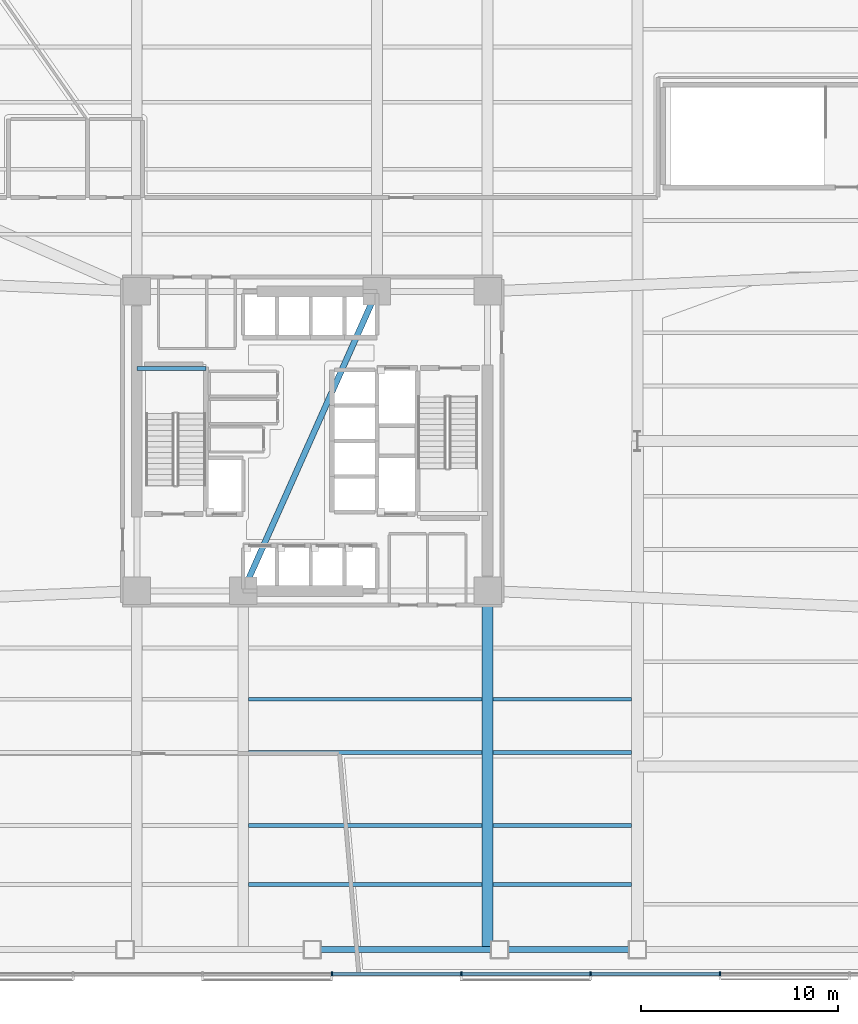
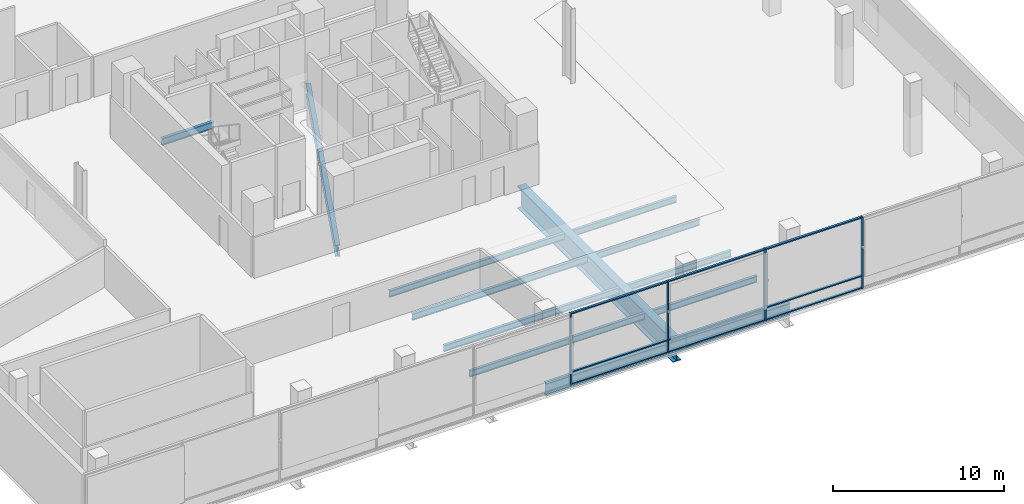
# One storey, part 3 of 19: 13 beams, 13 members, 1 element without a shape of its own.
"""IFC4 building model written with IfcOpenShell, lengths in metres."""

import ifcopenshell
import ifcopenshell.guid

model = None  # the IFC model being written
_history = None  # IfcOwnerHistory: only IFC2X3 demands one
_inside = {}  # id of a spatial element -> (the spatial element, [elements in it])
_under = {}  # id of a project, library or spatial element -> (it, [spatial elements below it])
_declared = {}  # id of a project -> (the project, [libraries it declares])
_typed = {}  # id of a type object -> (the type object, [elements of that type])
_made_of = {}  # id of a material, layer set ... -> (it, [elements and type objects made of it])


def new_model(schema):
    """Start an empty IFC model of exactly this schema.

    Asked for "IFC4X3", IfcOpenShell would pick the latest addendum, in which some entities
    have other attributes; the version numbers below select the first issue.
    IFC2X3 requires an IfcOwnerHistory on every rooted entity: one is made here for all.
    """
    global model, _history
    if schema == "IFC4X3":
        model = ifcopenshell.file(schema_version=(4, 3, 0, 0))
    else:
        model = ifcopenshell.file(schema=schema)
    _inside.clear()
    _under.clear()
    _declared.clear()
    _typed.clear()
    _made_of.clear()
    _history = None
    if model.schema == "IFC2X3":
        org = make("IfcOrganization", Name="unknown")
        user = make(
            "IfcPersonAndOrganization",
            ThePerson=make("IfcPerson", FamilyName="unknown"),
            TheOrganization=org,
        )
        app = make(
            "IfcApplication",
            ApplicationDeveloper=org,
            Version="unknown",
            ApplicationFullName="unknown",
            ApplicationIdentifier="unknown",
        )
        _history = make(
            "IfcOwnerHistory",
            OwningUser=user,
            OwningApplication=app,
            ChangeAction="ADDED",
            CreationDate=0,
        )
    return model


def make(cls, **values):
    """One entity of the class cls with the attributes given. An attribute that is None is left unset."""
    return model.create_entity(
        cls, **{name: value for name, value in values.items() if value is not None}
    )


def rooted(cls, **values):
    """An entity with a GlobalId (a new one), such as an element, a storey or a relation."""
    return make(cls, GlobalId=ifcopenshell.guid.new(), OwnerHistory=_history, **values)


def si_unit(unit_type, name, prefix=None):
    """IfcSIUnit, for example si_unit("LENGTHUNIT", "METRE", prefix="MILLI")."""
    return make("IfcSIUnit", UnitType=unit_type, Prefix=prefix, Name=name)


def assignment(units):
    """IfcUnitAssignment: the units of a project."""
    return None if units is None else make("IfcUnitAssignment", Units=units)


def point(xyz):
    """IfcCartesianPoint."""
    return None if xyz is None else make("IfcCartesianPoint", Coordinates=xyz)


def direction(xyz):
    """IfcDirection."""
    return None if xyz is None else make("IfcDirection", DirectionRatios=xyz)


def frame(location, z_axis=None, x_axis=None):
    """IfcAxis2Placement3D, a coordinate frame: its origin and axes. An axis left out is left unset."""
    return make(
        "IfcAxis2Placement3D",
        Location=point(location),
        Axis=direction(z_axis),
        RefDirection=direction(x_axis),
    )


def frame_2d(location, x_axis=None):
    """IfcAxis2Placement2D, a coordinate frame in the plane: its origin and x axis."""
    return make(
        "IfcAxis2Placement2D", Location=point(location), RefDirection=direction(x_axis)
    )


def origin():
    """The frame at (0, 0, 0) with its axes left unset."""
    return frame((0.0, 0.0, 0.0))


def origin_2d():
    """The frame at (0, 0) in the plane with its x axis left unset."""
    return frame_2d((0.0, 0.0))


def place(relative_to, where):
    """IfcLocalPlacement: puts the frame where relative to a parent placement (None: the world)."""
    return make(
        "IfcLocalPlacement", PlacementRelTo=relative_to, RelativePlacement=where
    )


def context(
    kind, dimensions, precision=None, world=None, true_north=None, identifier=None
):
    """IfcGeometricRepresentationContext, for example the 3D "Model" context."""
    return make(
        "IfcGeometricRepresentationContext",
        ContextIdentifier=identifier,
        ContextType=kind,
        CoordinateSpaceDimension=dimensions,
        Precision=precision,
        WorldCoordinateSystem=world,
        TrueNorth=true_north,
    )


def subcontext(parent, identifier, kind, view, scale=None):
    """IfcGeometricRepresentationSubContext, for example "Body" below "Model"."""
    return make(
        "IfcGeometricRepresentationSubContext",
        ContextIdentifier=identifier,
        ContextType=kind,
        ParentContext=parent,
        TargetScale=scale,
        TargetView=view,
    )


def project(units=None, contexts=None):
    """IfcProject with its units and contexts."""
    return rooted(
        "IfcProject",
        Name="project",
        RepresentationContexts=contexts,
        UnitsInContext=assignment(units),
    )


def spatial(cls, under=None, at=None, **own):
    """A site, building, storey or space (cls), placed at a placement, below another one or the project."""
    s = rooted(cls, ObjectPlacement=at, **own)
    if under is not None:
        _under.setdefault(under.id(), (under, []))[1].append(s)
    return s


def profile(cls, at=None, kind="AREA", **sizes):
    """A parametric profile (cls). Its sizes go by their IFC names, for example OverallWidth=200.0."""
    return make(cls, ProfileType=kind, Position=at, **sizes)


def rectangle(**sizes):
    """IfcRectangleProfileDef."""
    return profile("IfcRectangleProfileDef", **sizes)


def i_section(**sizes):
    """IfcIShapeProfileDef."""
    return profile("IfcIShapeProfileDef", **sizes)


def extrude(swept, where, along, depth):
    """IfcExtrudedAreaSolid: the profile swept, set in the frame where, extruded along a direction by depth."""
    return make(
        "IfcExtrudedAreaSolid",
        SweptArea=swept,
        Position=where,
        ExtrudedDirection=direction(along),
        Depth=depth,
    )


def shape(context_of_items, identifier, shape_type, items):
    """IfcShapeRepresentation: the items that make up one representation, for example the "Body"."""
    return make(
        "IfcShapeRepresentation",
        ContextOfItems=context_of_items,
        RepresentationIdentifier=identifier,
        RepresentationType=shape_type,
        Items=items,
    )


def material(Name=None, Category=None):
    """IfcMaterial."""
    return make("IfcMaterial", Name=Name, Category=Category)


def layer(
    of_material, thickness, ventilated=None, Name=None, Category=None, Priority=None
):
    """IfcMaterialLayer: one layer of a wall or slab, of a material (None: an air gap)."""
    return make(
        "IfcMaterialLayer",
        Material=of_material,
        LayerThickness=thickness,
        IsVentilated=ventilated,
        Name=Name,
        Category=Category,
        Priority=Priority,
    )


def layer_set(layers, Name=None):
    """IfcMaterialLayerSet."""
    return make("IfcMaterialLayerSet", MaterialLayers=layers, LayerSetName=Name)


def material_profile(
    of_material, cross_section, Name=None, Category=None, Priority=None
):
    """IfcMaterialProfile: a cross section and its material."""
    return make(
        "IfcMaterialProfile",
        Name=Name,
        Material=of_material,
        Profile=cross_section,
        Priority=Priority,
        Category=Category,
    )


def profile_set(profiles, Name=None, composite=None):
    """IfcMaterialProfileSet."""
    return make(
        "IfcMaterialProfileSet",
        Name=Name,
        MaterialProfiles=profiles,
        CompositeProfile=composite,
    )


def made_of(thing, what):
    """Note that an element or type object is made of a material, layer set ...; save() writes the relation."""
    if what is not None:
        _made_of.setdefault(what.id(), (what, []))[1].append(thing)
    return thing


def type_object(cls, material=None, **own):
    """A type object (cls), such as IfcWallType, which elements share."""
    return made_of(rooted(cls, **own), material)


def element(
    cls,
    number,
    at=None,
    inside=None,
    cuts=None,
    type_object=None,
    material=None,
    context=None,
    identifier="Body",
    shape_type=None,
    held_by="IfcProductDefinitionShape",
    body=None,
    shapes=None,
    **own,
):
    """One element of the class cls, such as IfcWall. Its Tag is "e" and its number.

    at: its placement. inside: the storey or other place that contains it. cuts: it is an
    opening in that element (IfcRelVoidsElement). A single representation is given by context,
    identifier, shape_type and body (its items); several are given by shapes. held_by: the class
    of the entity that holds the representations. save() writes the other relations.
    """
    e = rooted(cls, Tag="e%d" % number, ObjectPlacement=at, **own)
    if body is not None:
        shapes = [shape(context, identifier, shape_type, body)]
    if shapes is not None:
        e.Representation = make(held_by, Representations=shapes)
    if inside is not None:
        _inside.setdefault(inside.id(), (inside, []))[1].append(e)
    if cuts is not None:
        rooted(
            "IfcRelVoidsElement", RelatingBuildingElement=cuts, RelatedOpeningElement=e
        )
    if type_object is not None:
        _typed.setdefault(type_object.id(), (type_object, []))[1].append(e)
    return made_of(e, material)


def aggregate(whole, parts):
    """IfcRelAggregates: a whole, such as a stair, and the parts it consists of."""
    return rooted("IfcRelAggregates", RelatingObject=whole, RelatedObjects=parts)


def save(model, path):
    """Write the relations noted so far, then the file.

    IfcRelAggregates (storeys below a building ...), IfcRelContainedInSpatialStructure (elements
    in a storey), IfcRelDefinesByType, IfcRelAssociatesMaterial and IfcRelDeclares: one each for
    every whole, place, type object, material and project.
    """
    for whole, parts in _under.values():
        aggregate(whole, parts)
    for where, things in _inside.values():
        rooted(
            "IfcRelContainedInSpatialStructure",
            RelatedElements=things,
            RelatingStructure=where,
        )
    for kind, things in _typed.values():
        rooted("IfcRelDefinesByType", RelatedObjects=things, RelatingType=kind)
    for what, things in _made_of.values():
        rooted("IfcRelAssociatesMaterial", RelatedObjects=things, RelatingMaterial=what)
    for by, libraries in _declared.values():
        rooted("IfcRelDeclares", RelatingContext=by, RelatedDefinitions=libraries)
    model.write(path)


model = new_model("IFC4")

# Units and contexts
model_context = context("Model", 3, precision=1e-05, world=origin(), true_north=direction((0.0, 1.0)))
body_context = subcontext(model_context, "Body", "Model", "MODEL_VIEW")
ifc_project = project(units=[si_unit("LENGTHUNIT", "METRE"), si_unit("AREAUNIT", "SQUARE_METRE"), si_unit("VOLUMEUNIT", "CUBIC_METRE"), si_unit("PLANEANGLEUNIT", "RADIAN"), si_unit("MASSUNIT", "GRAM", prefix="KILO")], contexts=[model_context])

# Site, building, storey
site_placement = place(None, origin())
site = spatial("IfcSite", under=ifc_project, at=site_placement, CompositionType="ELEMENT")
building_placement = place(site_placement, origin())
building = spatial("IfcBuilding", under=site, at=building_placement, Name="Tharavind Bronze Gate", CompositionType="ELEMENT")
storey_placement = place(building_placement, frame((0.0, 0.0, 26.5)))
storey = spatial("IfcBuildingStorey", under=building, at=storey_placement, Name="L05", CompositionType="ELEMENT", Elevation=26.5)

# Curtain wall, members
ifc_material_1 = material(Name="Anodised Bronze Aluminium", Category="aluminium")
ifc_layer = layer(ifc_material_1, 0.219970703125)
ifc_layer_set = layer_set([ifc_layer], Name="Anodised Bronze Aluminium")
curtain_wall_type = type_object("IfcCurtainWallType", Name="UNITISED CURTAIN WALL PODIUM", PredefinedType="USERDEFINED", material=ifc_layer_set)
curtain_wall_placement = place(storey_placement, origin())
curtain_wall = element("IfcCurtainWall", 1, at=curtain_wall_placement, inside=storey, type_object=curtain_wall_type, Name="L05 unitised curtain wall podium CW-L05-S1", ObjectType="UNITISED CURTAIN WALL", PredefinedType="USERDEFINED")
member_type_1 = type_object("IfcMemberType", Name="CURTAIN WALL MULLION 80X220", PredefinedType="MULLION", material=ifc_material_1)
member_1_placement = place(storey_placement, frame((1.0, -27.02001953125, 0.0), z_axis=(0.0, 0.0, 1.0), x_axis=(1.0, 0.0, 0.0)))
member_1 = element("IfcMember", 2, at=member_1_placement, type_object=member_type_1, Name="CW-L05-S1 mullion 6", PredefinedType="MULLION", context=body_context, shape_type="SweptSolid", body=[
    extrude(rectangle(XDim=0.080078125, YDim=0.219970703125, at=origin_2d()), origin(), (0.0, 0.0, 1.0), 5.10498046875),
])
member_2_placement = place(storey_placement, frame((7.56396484375, -27.02001953125, 0.0), z_axis=(0.0, 0.0, 1.0), x_axis=(1.0, 0.0, 0.0)))
member_2 = element("IfcMember", 3, at=member_2_placement, type_object=member_type_1, Name="CW-L05-S1 mullion 7", PredefinedType="MULLION", context=body_context, shape_type="SweptSolid", body=[
    extrude(rectangle(XDim=0.080078125, YDim=0.219970703125, at=origin_2d()), origin(), (0.0, 0.0, 1.0), 5.10498046875),
])
member_3_placement = place(storey_placement, frame((14.1279296875, -27.02001953125, 0.0), z_axis=(0.0, 0.0, 1.0), x_axis=(1.0, 0.0, 0.0)))
member_3 = element("IfcMember", 4, at=member_3_placement, type_object=member_type_1, Name="CW-L05-S1 mullion 8", PredefinedType="MULLION", context=body_context, shape_type="SweptSolid", body=[
    extrude(rectangle(XDim=0.080078125, YDim=0.219970703125, at=origin_2d()), origin(), (0.0, 0.0, 1.0), 5.10498046875),
])
member_4_placement = place(storey_placement, frame((20.69189453125, -27.02001953125, 0.0), z_axis=(0.0, 0.0, 1.0), x_axis=(1.0, 0.0, 0.0)))
member_4 = element("IfcMember", 5, at=member_4_placement, type_object=member_type_1, Name="CW-L05-S1 mullion 9", PredefinedType="MULLION", context=body_context, shape_type="SweptSolid", body=[
    extrude(rectangle(XDim=0.080078125, YDim=0.219970703125, at=origin_2d()), origin(), (0.0, 0.0, 1.0), 5.10498046875),
])
member_type_2 = type_object("IfcMemberType", Name="CURTAIN WALL TRANSOM 80X160", PredefinedType="USERDEFINED", material=ifc_material_1)
member_5_placement = place(storey_placement, frame((4.281982421875, -27.02001953125, 0.0), z_axis=(0.0, 0.0, 1.0), x_axis=(1.0, 0.0, 0.0)))
member_5 = element("IfcMember", 6, at=member_5_placement, type_object=member_type_2, Name="CW-L05-S1 transom TB6", ObjectType="TRANSOM", PredefinedType="USERDEFINED", context=body_context, shape_type="SweptSolid", body=[
    extrude(rectangle(XDim=6.49609375, YDim=0.159912109375, at=origin_2d()), origin(), (0.0, 0.0, 1.0), 0.080078125),
])
member_6_placement = place(storey_placement, frame((4.281982421875, -27.02001953125, 0.85986328125), z_axis=(0.0, 0.0, 1.0), x_axis=(1.0, 0.0, 0.0)))
member_6 = element("IfcMember", 7, at=member_6_placement, type_object=member_type_2, Name="CW-L05-S1 transom TS6", ObjectType="TRANSOM", PredefinedType="USERDEFINED", context=body_context, shape_type="SweptSolid", body=[
    extrude(rectangle(XDim=6.49609375, YDim=0.159912109375, at=origin_2d()), origin(), (0.0, 0.0, 1.0), 0.080078125),
])
member_7_placement = place(storey_placement, frame((4.281982421875, -27.02001953125, 5.02490234375), z_axis=(0.0, 0.0, 1.0), x_axis=(1.0, 0.0, 0.0)))
member_7 = element("IfcMember", 8, at=member_7_placement, type_object=member_type_2, Name="CW-L05-S1 transom TT6", ObjectType="TRANSOM", PredefinedType="USERDEFINED", context=body_context, shape_type="SweptSolid", body=[
    extrude(rectangle(XDim=6.49609375, YDim=0.159912109375, at=origin_2d()), origin(), (0.0, 0.0, 1.0), 0.080078125),
])
member_8_placement = place(storey_placement, frame((10.845947265625, -27.02001953125, 0.0), z_axis=(0.0, 0.0, 1.0), x_axis=(1.0, 0.0, 0.0)))
member_8 = element("IfcMember", 9, at=member_8_placement, type_object=member_type_2, Name="CW-L05-S1 transom TB7", ObjectType="TRANSOM", PredefinedType="USERDEFINED", context=body_context, shape_type="SweptSolid", body=[
    extrude(rectangle(XDim=6.49609375, YDim=0.159912109375, at=origin_2d()), origin(), (0.0, 0.0, 1.0), 0.080078125),
])
member_9_placement = place(storey_placement, frame((10.845947265625, -27.02001953125, 0.85986328125), z_axis=(0.0, 0.0, 1.0), x_axis=(1.0, 0.0, 0.0)))
member_9 = element("IfcMember", 10, at=member_9_placement, type_object=member_type_2, Name="CW-L05-S1 transom TS7", ObjectType="TRANSOM", PredefinedType="USERDEFINED", context=body_context, shape_type="SweptSolid", body=[
    extrude(rectangle(XDim=6.49609375, YDim=0.159912109375, at=origin_2d()), origin(), (0.0, 0.0, 1.0), 0.080078125),
])
member_10_placement = place(storey_placement, frame((10.845947265625, -27.02001953125, 5.02490234375), z_axis=(0.0, 0.0, 1.0), x_axis=(1.0, 0.0, 0.0)))
member_10 = element("IfcMember", 11, at=member_10_placement, type_object=member_type_2, Name="CW-L05-S1 transom TT7", ObjectType="TRANSOM", PredefinedType="USERDEFINED", context=body_context, shape_type="SweptSolid", body=[
    extrude(rectangle(XDim=6.49609375, YDim=0.159912109375, at=origin_2d()), origin(), (0.0, 0.0, 1.0), 0.080078125),
])
member_11_placement = place(storey_placement, frame((17.409912109375, -27.02001953125, 0.0), z_axis=(0.0, 0.0, 1.0), x_axis=(1.0, 0.0, 0.0)))
member_11 = element("IfcMember", 12, at=member_11_placement, type_object=member_type_2, Name="CW-L05-S1 transom TB8", ObjectType="TRANSOM", PredefinedType="USERDEFINED", context=body_context, shape_type="SweptSolid", body=[
    extrude(rectangle(XDim=6.49609375, YDim=0.159912109375, at=origin_2d()), origin(), (0.0, 0.0, 1.0), 0.080078125),
])
member_12_placement = place(storey_placement, frame((17.409912109375, -27.02001953125, 0.85986328125), z_axis=(0.0, 0.0, 1.0), x_axis=(1.0, 0.0, 0.0)))
member_12 = element("IfcMember", 13, at=member_12_placement, type_object=member_type_2, Name="CW-L05-S1 transom TS8", ObjectType="TRANSOM", PredefinedType="USERDEFINED", context=body_context, shape_type="SweptSolid", body=[
    extrude(rectangle(XDim=6.49609375, YDim=0.159912109375, at=origin_2d()), origin(), (0.0, 0.0, 1.0), 0.080078125),
])
member_13_placement = place(storey_placement, frame((17.409912109375, -27.02001953125, 5.02490234375), z_axis=(0.0, 0.0, 1.0), x_axis=(1.0, 0.0, 0.0)))
member_13 = element("IfcMember", 14, at=member_13_placement, type_object=member_type_2, Name="CW-L05-S1 transom TT8", ObjectType="TRANSOM", PredefinedType="USERDEFINED", context=body_context, shape_type="SweptSolid", body=[
    extrude(rectangle(XDim=6.49609375, YDim=0.159912109375, at=origin_2d()), origin(), (0.0, 0.0, 1.0), 0.080078125),
])
aggregate(curtain_wall, [member_1, member_2, member_3, member_4, member_5, member_6, member_7, member_8, member_9, member_10, member_11, member_12, member_13])

# Beams
ifc_material_2 = material(Name="Steel S355", Category="steel")
ifc_material_profile_1 = material_profile(ifc_material_2, i_section(OverallWidth=0.199951171875, OverallDepth=0.5, WebThickness=0.01025390625, FlangeThickness=0.01611328125, at=origin_2d()), Name="IPE500")
ifc_profile_set_1 = profile_set([ifc_material_profile_1], Name="Steel S355")
beam_type_1 = type_object("IfcBeamType", Name="PRIMARY GIRDER IPE500", PredefinedType="USERDEFINED", material=ifc_profile_set_1)
beam_1_placement = place(storey_placement, frame((-8.89990234375, 3.679931640625, 2.199951171875), z_axis=(1.0, 0.0, 0.0), x_axis=(0.0, 1.0, 0.0)))
element("IfcBeam", 15, at=beam_1_placement, inside=storey, type_object=beam_type_1, Name="L05 primary girder ipe500 BM-LD-ST1-L05-1", ObjectType="GIRDER", PredefinedType="USERDEFINED", context=body_context, shape_type="SweptSolid", body=[
    extrude(i_section(OverallWidth=0.199951171875, OverallDepth=0.5, WebThickness=0.01025390625, FlangeThickness=0.01611328125, at=origin_2d()), origin(), (0.0, 0.0, 1.0), 3.5),
])
ifc_material_profile_2 = material_profile(ifc_material_2, i_section(OverallWidth=0.300048828125, OverallDepth=0.800048828125, WebThickness=0.017578125, FlangeThickness=0.032958984375, at=origin_2d()), Name="HE800B")
ifc_profile_set_2 = profile_set([ifc_material_profile_2], Name="Steel S355")
beam_type_2 = type_object("IfcBeamType", Name="RING GIRDER HE800B", PredefinedType="USERDEFINED", material=ifc_profile_set_2)
beam_2_placement = place(storey_placement, frame((-3.5, -7.60009765625, -0.659912109375), z_axis=(0.407361644566, 0.913266932795, 0.0), x_axis=(-0.913266932795, 0.407361644566, 0.0)))
element("IfcBeam", 16, at=beam_2_placement, inside=storey, type_object=beam_type_2, Name="L05 ring girder he800b BM-L05-CR7", ObjectType="GIRDER", PredefinedType="USERDEFINED", context=body_context, shape_type="SweptSolid", body=[
    extrude(i_section(OverallWidth=0.300048828125, OverallDepth=0.800048828125, WebThickness=0.017578125, FlangeThickness=0.032958984375, at=origin_2d()), origin(), (0.0, 0.0, 1.0), 16.643798828125),
])
ifc_material_profile_3 = material_profile(ifc_material_2, i_section(OverallWidth=0.18994140625, OverallDepth=0.449951171875, WebThickness=0.009521484375, FlangeThickness=0.0146484375, at=origin_2d()), Name="IPE450")
ifc_profile_set_3 = profile_set([ifc_material_profile_3], Name="Steel S355")
beam_type_3 = type_object("IfcBeamType", Name="SECONDARY FLOOR JOIST IPE450", PredefinedType="JOIST", material=ifc_profile_set_3)
beam_3_placement = place(storey_placement, frame((-3.222900390625, -22.5, -0.485107421875), z_axis=(1.0, 0.0, 0.0), x_axis=(0.0, 1.0, 0.0)))
element("IfcBeam", 17, at=beam_3_placement, inside=storey, type_object=beam_type_3, Name="L05 secondary floor joist ipe450 BM-L05-JSS1B", PredefinedType="JOIST", context=body_context, shape_type="SweptSolid", body=[
    extrude(i_section(OverallWidth=0.18994140625, OverallDepth=0.449951171875, WebThickness=0.009521484375, FlangeThickness=0.0146484375, at=origin_2d()), origin(), (0.0, 0.0, 1.0), 11.845947265625),
])
beam_4_placement = place(storey_placement, frame((9.177001953125, -22.5, -0.485107421875), z_axis=(1.0, 0.0, 0.0), x_axis=(0.0, 1.0, 0.0)))
element("IfcBeam", 18, at=beam_4_placement, inside=storey, type_object=beam_type_3, Name="L05 secondary floor joist ipe450 BM-L05-JSS1E", PredefinedType="JOIST", context=body_context, shape_type="SweptSolid", body=[
    extrude(i_section(OverallWidth=0.18994140625, OverallDepth=0.449951171875, WebThickness=0.009521484375, FlangeThickness=0.0146484375, at=origin_2d()), origin(), (0.0, 0.0, 1.0), 7.02099609375),
])
beam_5_placement = place(storey_placement, frame((-3.222900390625, -19.5, -0.485107421875), z_axis=(1.0, 0.0, 0.0), x_axis=(0.0, 1.0, 0.0)))
element("IfcBeam", 19, at=beam_5_placement, inside=storey, type_object=beam_type_3, Name="L05 secondary floor joist ipe450 BM-L05-JSS2B", PredefinedType="JOIST", context=body_context, shape_type="SweptSolid", body=[
    extrude(i_section(OverallWidth=0.18994140625, OverallDepth=0.449951171875, WebThickness=0.009521484375, FlangeThickness=0.0146484375, at=origin_2d()), origin(), (0.0, 0.0, 1.0), 11.845947265625),
])
beam_6_placement = place(storey_placement, frame((9.177001953125, -19.5, -0.485107421875), z_axis=(1.0, 0.0, 0.0), x_axis=(0.0, 1.0, 0.0)))
element("IfcBeam", 20, at=beam_6_placement, inside=storey, type_object=beam_type_3, Name="L05 secondary floor joist ipe450 BM-L05-JSS2E", PredefinedType="JOIST", context=body_context, shape_type="SweptSolid", body=[
    extrude(i_section(OverallWidth=0.18994140625, OverallDepth=0.449951171875, WebThickness=0.009521484375, FlangeThickness=0.0146484375, at=origin_2d()), origin(), (0.0, 0.0, 1.0), 7.02099609375),
])
beam_7_placement = place(storey_placement, frame((-3.222900390625, -15.800048828125, -0.485107421875), z_axis=(1.0, 0.0, 0.0), x_axis=(0.0, 1.0, 0.0)))
element("IfcBeam", 21, at=beam_7_placement, inside=storey, type_object=beam_type_3, Name="L05 secondary floor joist ipe450 BM-L05-JSS3B", PredefinedType="JOIST", context=body_context, shape_type="SweptSolid", body=[
    extrude(i_section(OverallWidth=0.18994140625, OverallDepth=0.449951171875, WebThickness=0.009521484375, FlangeThickness=0.0146484375, at=origin_2d()), origin(), (0.0, 0.0, 1.0), 11.845947265625),
])
beam_8_placement = place(storey_placement, frame((9.177001953125, -15.800048828125, -0.485107421875), z_axis=(1.0, 0.0, 0.0), x_axis=(0.0, 1.0, 0.0)))
element("IfcBeam", 22, at=beam_8_placement, inside=storey, type_object=beam_type_3, Name="L05 secondary floor joist ipe450 BM-L05-JSS3E", PredefinedType="JOIST", context=body_context, shape_type="SweptSolid", body=[
    extrude(i_section(OverallWidth=0.18994140625, OverallDepth=0.449951171875, WebThickness=0.009521484375, FlangeThickness=0.0146484375, at=origin_2d()), origin(), (0.0, 0.0, 1.0), 7.02099609375),
])
beam_9_placement = place(storey_placement, frame((-3.222900390625, -13.10009765625, -0.485107421875), z_axis=(1.0, 0.0, 0.0), x_axis=(0.0, 1.0, 0.0)))
element("IfcBeam", 23, at=beam_9_placement, inside=storey, type_object=beam_type_3, Name="L05 secondary floor joist ipe450 BM-L05-JSS4B", PredefinedType="JOIST", context=body_context, shape_type="SweptSolid", body=[
    extrude(i_section(OverallWidth=0.18994140625, OverallDepth=0.449951171875, WebThickness=0.009521484375, FlangeThickness=0.0146484375, at=origin_2d()), origin(), (0.0, 0.0, 1.0), 11.845947265625),
])
beam_10_placement = place(storey_placement, frame((9.177001953125, -13.10009765625, -0.485107421875), z_axis=(1.0, 0.0, 0.0), x_axis=(0.0, 1.0, 0.0)))
element("IfcBeam", 24, at=beam_10_placement, inside=storey, type_object=beam_type_3, Name="L05 secondary floor joist ipe450 BM-L05-JSS4E", PredefinedType="JOIST", context=body_context, shape_type="SweptSolid", body=[
    extrude(i_section(OverallWidth=0.18994140625, OverallDepth=0.449951171875, WebThickness=0.009521484375, FlangeThickness=0.0146484375, at=origin_2d()), origin(), (0.0, 0.0, 1.0), 7.02099609375),
])
ifc_material_profile_4 = material_profile(ifc_material_2, i_section(OverallWidth=0.300048828125, OverallDepth=0.89990234375, WebThickness=0.0185546875, FlangeThickness=0.034912109375, at=origin_2d()), Name="HE900B")
ifc_profile_set_4 = profile_set([ifc_material_profile_4], Name="Steel S355")
beam_type_4 = type_object("IfcBeamType", Name="SPANDREL RING BEAM HE900B", PredefinedType="SPANDREL", material=ifc_profile_set_4)
beam_11_placement = place(storey_placement, frame((0.0, -25.800048828125, -0.7099609375), z_axis=(1.0, 0.0, 0.0), x_axis=(0.0, 1.0, 0.0)))
element("IfcBeam", 25, at=beam_11_placement, inside=storey, type_object=beam_type_4, Name="L05 spandrel ring beam he900b BM-L05-PS4", PredefinedType="SPANDREL", context=body_context, shape_type="SweptSolid", body=[
    extrude(i_section(OverallWidth=0.300048828125, OverallDepth=0.89990234375, WebThickness=0.0185546875, FlangeThickness=0.034912109375, at=origin_2d()), origin(), (0.0, 0.0, 1.0), 9.5),
])
beam_12_placement = place(storey_placement, frame((9.5, -25.800048828125, -0.7099609375), z_axis=(1.0, 0.0, 0.0), x_axis=(0.0, 1.0, 0.0)))
element("IfcBeam", 26, at=beam_12_placement, inside=storey, type_object=beam_type_4, Name="L05 spandrel ring beam he900b BM-L05-PS5", PredefinedType="SPANDREL", context=body_context, shape_type="SweptSolid", body=[
    extrude(i_section(OverallWidth=0.300048828125, OverallDepth=0.89990234375, WebThickness=0.0185546875, FlangeThickness=0.034912109375, at=origin_2d()), origin(), (0.0, 0.0, 1.0), 7.0),
])
ifc_material_3 = material(Name="Steel S460", Category="steel")
ifc_material_profile_5 = material_profile(ifc_material_3, i_section(OverallWidth=0.550048828125, OverallDepth=1.60009765625, WebThickness=0.030029296875, FlangeThickness=0.050048828125, at=origin_2d()), Name="PG1600X550")
ifc_profile_set_5 = profile_set([ifc_material_profile_5], Name="Steel S460")
beam_type_5 = type_object("IfcBeamType", Name="TRANSFER GIRDER 1600X550", PredefinedType="USERDEFINED", material=ifc_profile_set_5)
beam_13_placement = place(storey_placement, frame((8.89990234375, -25.800048828125, -1.06005859375), z_axis=(0.0, 1.0, 0.0), x_axis=(-1.0, 0.0, 0.0)))
element("IfcBeam", 27, at=beam_13_placement, inside=storey, type_object=beam_type_5, Name="L05 transfer girder 1600x550 BM-L05-GS4", ObjectType="TRANSFER GIRDER", PredefinedType="USERDEFINED", context=body_context, shape_type="SweptSolid", body=[
    extrude(i_section(OverallWidth=0.550048828125, OverallDepth=1.60009765625, WebThickness=0.030029296875, FlangeThickness=0.050048828125, at=origin_2d()), origin(), (0.0, 0.0, 1.0), 18.199951171875),
])

save(model, "model.ifc")
